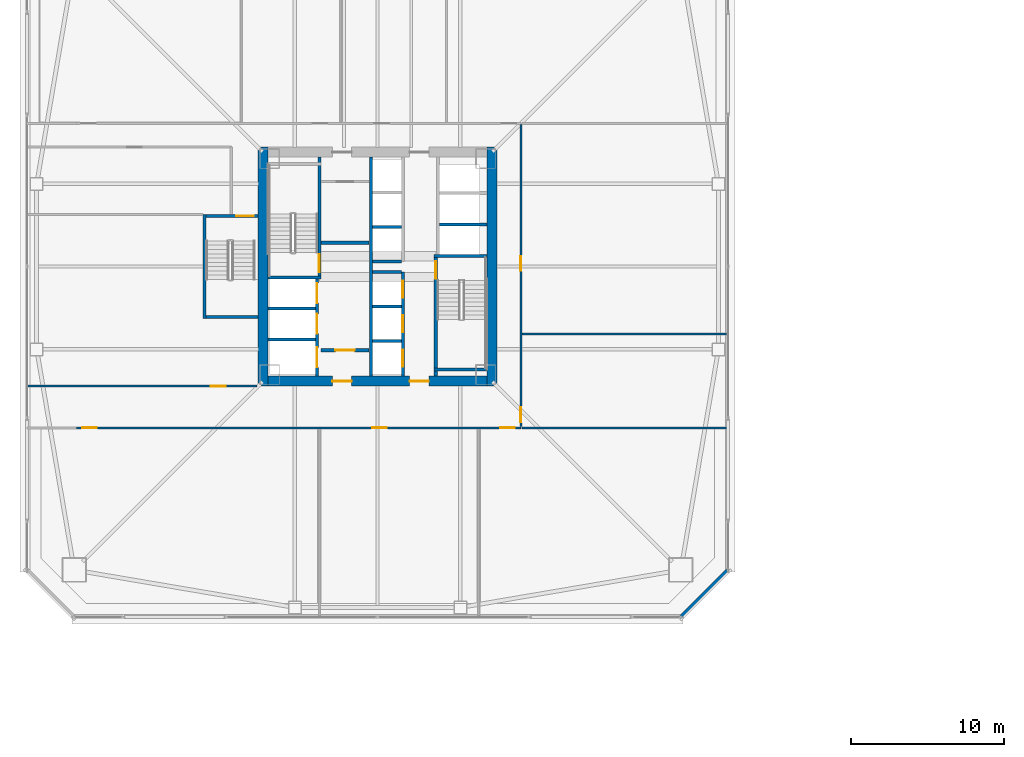
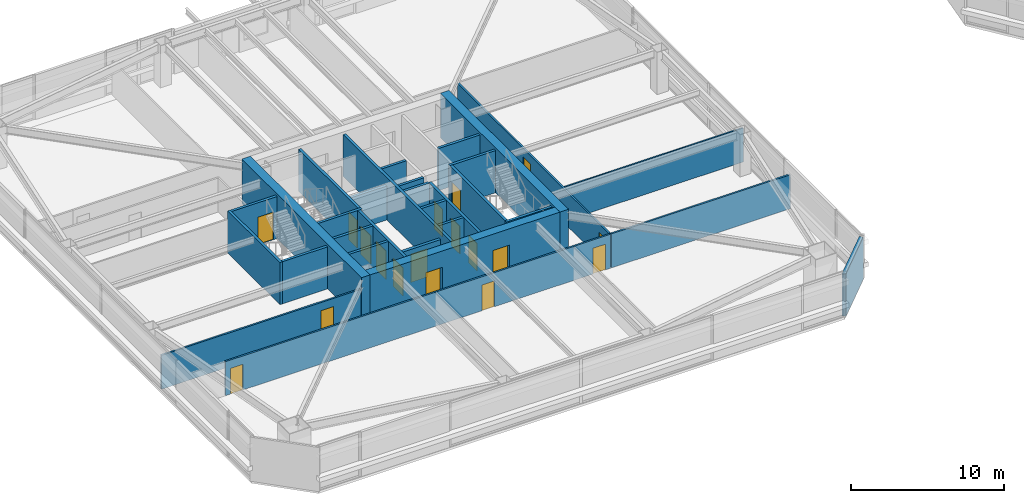
# One storey, part 39 of 51: 30 walls, 18 doors, 18 openings.
"""IFC4 building model written with IfcOpenShell, lengths in metres."""

from ifc_helpers import new_model, si_unit, direction, frame, frame_2d, origin, place, context, subcontext, project, spatial, rectangle, extrude, material, layer, layer_set, type_object, element, fill, save


model = new_model("IFC4")

# Units and contexts
model_context = context("Model", 3, precision=1e-05, world=origin(), true_north=direction((0.0, 1.0)))
body_context = subcontext(model_context, "Body", "Model", "MODEL_VIEW")
ifc_project = project(units=[si_unit("LENGTHUNIT", "METRE"), si_unit("AREAUNIT", "SQUARE_METRE"), si_unit("VOLUMEUNIT", "CUBIC_METRE"), si_unit("PLANEANGLEUNIT", "RADIAN"), si_unit("MASSUNIT", "GRAM", prefix="KILO")], contexts=[model_context])

# Site, building, storey
site_placement = place(None, origin())
site = spatial("IfcSite", under=ifc_project, at=site_placement, CompositionType="ELEMENT")
building_placement = place(site_placement, origin())
building = spatial("IfcBuilding", under=site, at=building_placement, Name="Tashvorn Skyway Center", CompositionType="ELEMENT")
storey_placement = place(building_placement, frame((0.0, 0.0, 49.449951171875)))
storey = spatial("IfcBuildingStorey", under=building, at=storey_placement, Name="L12", CompositionType="ELEMENT", Elevation=49.449951171875)

# Walls
ifc_material_1 = material(Name="Concrete C60/75", Category="concrete")
ifc_layer_1 = layer(ifc_material_1, 0.64990234375)
ifc_layer_set_1 = layer_set([ifc_layer_1], Name="Concrete C60/75")
wall_type_1 = type_object("IfcWallType", Name="WALL-CORE-650", PredefinedType="SHEAR", material=ifc_layer_set_1)
for number, where, z_axis, x_axis, name in (
    (1, (34.52490234375, 24.199951171875, 0.0), (0.0, 0.0, 1.0), (0.0, 1.0, 0.0), "Tower 1 L12 West Core Shear Wall"),
    (2, (49.47509765625, 39.800048828125, 0.0), (0.0, 0.0, 1.0), (0.0, -1.0, 0.0), "Tower 1 L12 East Core Shear Wall"),
):
    element("IfcWall", number, at=place(storey_placement, frame(where, z_axis=z_axis, x_axis=x_axis)), inside=storey, type_object=wall_type_1, Name=name, PredefinedType="SHEAR", context=body_context, shape_type="SweptSolid", body=[
        extrude(rectangle(XDim=15.60009765625, YDim=0.64990234375, at=frame_2d((7.800048828125, 0.0))), origin(), (0.0, 0.0, 1.0), 3.550048828125),
    ])

# Wall, openings, doors
wall_1_placement = place(storey_placement, frame((49.14990234375, 24.52490234375, 0.0), z_axis=(0.0, 0.0, 1.0), x_axis=(-1.0, 0.0, 0.0)))
wall_1 = element("IfcWall", 3, at=wall_1_placement, inside=storey, type_object=wall_type_1, Name="Tower 1 L12 South Core Shear Wall", PredefinedType="SHEAR", context=body_context, shape_type="SweptSolid", body=[
    extrude(rectangle(XDim=14.2998046875, YDim=0.64990234375, at=frame_2d((7.14990234375, 0.0))), origin(), (0.0, 0.0, 1.0), 3.550048828125),
])
opening_1_placement = place(wall_1_placement, frame((8.85009765625, 0.0, 0.0)))
opening_1 = element("IfcOpeningElement", 4, at=opening_1_placement, cuts=wall_1, Name="Opening D-FFL-1250", PredefinedType="OPENING", context=body_context, shape_type="SweptSolid", body=[
    extrude(rectangle(XDim=1.25, YDim=2.25, at=frame_2d((0.625, 1.125))), frame((0.0, 0.3349609375, 0.0), z_axis=(0.0, -1.0, 0.0), x_axis=(1.0, 0.0, 0.0)), (0.0, 0.0, 1.0), 0.669921875),
])
opening_2_placement = place(wall_1_placement, frame((3.800048828125, 0.0, 0.0)))
opening_2 = element("IfcOpeningElement", 5, at=opening_2_placement, cuts=wall_1, Name="Opening D-FFL-1250", PredefinedType="OPENING", context=body_context, shape_type="SweptSolid", body=[
    extrude(rectangle(XDim=1.25, YDim=2.25, at=frame_2d((0.625, 1.125))), frame((0.0, 0.3349609375, 0.0), z_axis=(0.0, -1.0, 0.0), x_axis=(1.0, 0.0, 0.0)), (0.0, 0.0, 1.0), 0.669921875),
])
ifc_material_2 = material(Name="Hollow galvanized steel fire door assembly", Category="steel")
door_type_1 = type_object("IfcDoorType", Name="DOOR-FFL-1250", OperationType="NOTDEFINED", PredefinedType="DOOR", material=ifc_material_2)
door_1_placement = place(opening_1_placement, origin())
door_1 = element("IfcDoor", 6, at=door_1_placement, inside=storey, type_object=door_type_1, Name="Tower 1 L12 Core South Firefighting Exit Door", OperationType="SINGLE_SWING_LEFT", OverallHeight=2.25, OverallWidth=1.25, PredefinedType="DOOR", context=body_context, shape_type="SweptSolid", body=[
    extrude(rectangle(XDim=1.25, YDim=2.25, at=frame_2d((0.625, 1.125))), frame((0.0, 0.02490234375, 0.0), z_axis=(0.0, -1.0, 0.0), x_axis=(1.0, 0.0, 0.0)), (0.0, 0.0, 1.0), 0.050048828125),
])
fill(opening_1, door_1)
door_2_placement = place(opening_2_placement, origin())
door_2 = element("IfcDoor", 7, at=door_2_placement, inside=storey, type_object=door_type_1, Name="Tower 1 L12 Core South Lift Lobby Door", OperationType="SINGLE_SWING_RIGHT", OverallHeight=2.25, OverallWidth=1.25, PredefinedType="DOOR", context=body_context, shape_type="SweptSolid", body=[
    extrude(rectangle(XDim=1.25, YDim=2.25, at=frame_2d((0.625, 1.125))), frame((0.0, 0.02490234375, 0.0), z_axis=(0.0, -1.0, 0.0), x_axis=(1.0, 0.0, 0.0)), (0.0, 0.0, 1.0), 0.050048828125),
])
fill(opening_2, door_2)

# Walls
ifc_material_3 = material(Name="Precast concrete C40/50", Category="concrete")
ifc_layer_2 = layer(ifc_material_3, 0.280029296875)
ifc_layer_set_2 = layer_set([ifc_layer_2], Name="Precast concrete C40/50")
wall_type_2 = type_object("IfcWallType", Name="WALL-EXT-280", PredefinedType="SOLIDWALL", material=ifc_layer_set_2)
wall_2_placement = place(storey_placement, frame((64.89990234375, 12.199951171875, 0.0), z_axis=(0.0, 0.0, 1.0), x_axis=(-0.707106781187, -0.707106781187, 0.0)))
element("IfcWall", 8, at=wall_2_placement, inside=storey, type_object=wall_type_2, Name="Tower 1 L12 SE Precast Chamfer Wall", PredefinedType="SOLIDWALL", context=body_context, shape_type="SweptSolid", body=[
    extrude(rectangle(XDim=4.3837890625, YDim=0.280029296875, at=frame_2d((2.19189453125, 0.0))), origin(), (0.0, 0.0, 1.0), 3.35009765625),
])
ifc_material_4 = material(Name="Concrete C40/50", Category="concrete")
ifc_layer_3 = layer(ifc_material_4, 0.219970703125)
ifc_layer_set_3 = layer_set([ifc_layer_3], Name="Concrete C40/50")
wall_type_3 = type_object("IfcWallType", Name="WALL-FFL-220", PredefinedType="SOLIDWALL", material=ifc_layer_set_3)
wall_3_placement = place(storey_placement, frame((38.300048828125, 33.56005859375, 0.0), z_axis=(0.0, 0.0, 1.0), x_axis=(1.0, 0.0, 0.0)))
element("IfcWall", 9, at=wall_3_placement, inside=storey, type_object=wall_type_3, Name="Tower 1 L12 Firefighting Lobby North Wall", PredefinedType="SOLIDWALL", context=body_context, shape_type="SweptSolid", body=[
    extrude(rectangle(XDim=3.14990234375, YDim=0.219970703125, at=frame_2d((1.574951171875, 0.0))), origin(), (0.0, 0.0, 1.0), 2.703125),
])

# Wall, opening, door
wall_4_placement = place(storey_placement, frame((38.300048828125, 26.5400390625, 0.0), z_axis=(0.0, 0.0, 1.0), x_axis=(1.0, 0.0, 0.0)))
wall_4 = element("IfcWall", 10, at=wall_4_placement, inside=storey, type_object=wall_type_3, Name="Tower 1 L12 Firefighting Lobby South Wall", PredefinedType="SOLIDWALL", context=body_context, shape_type="SweptSolid", body=[
    extrude(rectangle(XDim=3.14990234375, YDim=0.219970703125, at=frame_2d((1.574951171875, 0.0))), origin(), (0.0, 0.0, 1.0), 2.703125),
])
opening_3_placement = place(wall_4_placement, frame((0.949951171875, 0.0, 0.0)))
opening_3 = element("IfcOpeningElement", 11, at=opening_3_placement, cuts=wall_4, Name="Opening D-FFL-1250", PredefinedType="OPENING", context=body_context, shape_type="SweptSolid", body=[
    extrude(rectangle(XDim=1.25, YDim=2.25, at=frame_2d((0.625, 1.125))), frame((0.0, 0.119873046875, 0.0), z_axis=(0.0, -1.0, 0.0), x_axis=(1.0, 0.0, 0.0)), (0.0, 0.0, 1.0), 0.239990234375),
])
door_3_placement = place(opening_3_placement, origin())
door_3 = element("IfcDoor", 12, at=door_3_placement, inside=storey, type_object=door_type_1, Name="Tower 1 L12 Firefighting Lobby Egress Door", OperationType="SINGLE_SWING_LEFT", OverallHeight=2.25, OverallWidth=1.25, PredefinedType="DOOR", context=body_context, shape_type="SweptSolid", body=[
    extrude(rectangle(XDim=1.25, YDim=2.25, at=frame_2d((0.625, 1.125))), frame((0.0, 0.02490234375, 0.0), z_axis=(0.0, -1.0, 0.0), x_axis=(1.0, 0.0, 0.0)), (0.0, 0.0, 1.0), 0.050048828125),
])
fill(opening_3, door_3)

# Wall
ifc_material_5 = material(Name="Gypsum board on cold-formed steel stud framing", Category="steel")
ifc_layer_4 = layer(ifc_material_5, 0.110107421875)
ifc_layer_set_4 = layer_set([ifc_layer_4], Name="Gypsum board on cold-formed steel stud framing")
wall_type_4 = type_object("IfcWallType", Name="WALL-PART-110", PredefinedType="PARTITIONING", material=ifc_layer_set_4)
wall_5_placement = place(storey_placement, frame((51.429931640625, 27.60009765625, 0.0), z_axis=(0.0, 0.0, 1.0), x_axis=(1.0, 0.0, 0.0)))
element("IfcWall", 13, at=wall_5_placement, inside=storey, type_object=wall_type_4, Name="Tower 1 L12 East Suite Partition 1", PredefinedType="PARTITIONING", context=body_context, shape_type="SweptSolid", body=[
    extrude(rectangle(XDim=13.449951171875, YDim=0.110107421875, at=frame_2d((6.72509765625, 0.0))), origin(), (0.0, 0.0, 1.0), 2.703125),
])

# Wall, openings, doors
ifc_layer_5 = layer(ifc_material_5, 0.135009765625)
ifc_layer_set_5 = layer_set([ifc_layer_5], Name="Gypsum board on cold-formed steel stud framing")
wall_type_5 = type_object("IfcWallType", Name="WALL-PART-135", PredefinedType="PARTITIONING", material=ifc_layer_set_5)
wall_6_placement = place(storey_placement, frame((51.35009765625, 21.47998046875, 0.0), z_axis=(0.0, 0.0, 1.0), x_axis=(-1.0, 0.0, 0.0)))
wall_6 = element("IfcWall", 14, at=wall_6_placement, inside=storey, type_object=wall_type_5, Name="Tower 1 L12 South Suite Wall", PredefinedType="PARTITIONING", context=body_context, shape_type="SweptSolid", body=[
    extrude(rectangle(XDim=29.0, YDim=0.135009765625, at=frame_2d((14.5, 0.0))), origin(), (0.0, 0.0, 1.0), 2.703125),
])
opening_4_placement = place(wall_6_placement, frame((27.669921875, 0.0, 0.0)))
opening_4 = element("IfcOpeningElement", 15, at=opening_4_placement, cuts=wall_6, Name="Opening D-INT-950", PredefinedType="OPENING", context=body_context, shape_type="SweptSolid", body=[
    extrude(rectangle(XDim=0.949951171875, YDim=2.050048828125, at=frame_2d((0.47509765625, 1.02490234375))), frame((0.0, 0.077392578125, 0.0), z_axis=(0.0, -1.0, 0.0), x_axis=(1.0, 0.0, 0.0)), (0.0, 0.0, 1.0), 0.155029296875),
])
opening_5_placement = place(wall_6_placement, frame((8.7529296875, 0.0, 0.0)))
opening_5 = element("IfcOpeningElement", 16, at=opening_5_placement, cuts=wall_6, Name="Opening D-INT-950", PredefinedType="OPENING", context=body_context, shape_type="SweptSolid", body=[
    extrude(rectangle(XDim=0.949951171875, YDim=2.050048828125, at=frame_2d((0.47509765625, 1.02490234375))), frame((0.0, 0.077392578125, 0.0), z_axis=(0.0, -1.0, 0.0), x_axis=(1.0, 0.0, 0.0)), (0.0, 0.0, 1.0), 0.155029296875),
])
opening_6_placement = place(wall_6_placement, frame((0.3798828125, 0.0, 0.0)))
opening_6 = element("IfcOpeningElement", 17, at=opening_6_placement, cuts=wall_6, Name="Opening D-INT-950", PredefinedType="OPENING", context=body_context, shape_type="SweptSolid", body=[
    extrude(rectangle(XDim=0.949951171875, YDim=2.050048828125, at=frame_2d((0.47509765625, 1.02490234375))), frame((0.0, 0.077392578125, 0.0), z_axis=(0.0, -1.0, 0.0), x_axis=(1.0, 0.0, 0.0)), (0.0, 0.0, 1.0), 0.155029296875),
])
ifc_material_6 = material(Name="Solid-core architectural oak veneer door")
door_type_2 = type_object("IfcDoorType", Name="DOOR-INT-950", OperationType="NOTDEFINED", PredefinedType="DOOR", material=ifc_material_6)
door_4_placement = place(opening_4_placement, origin())
door_4 = element("IfcDoor", 18, at=door_4_placement, inside=storey, type_object=door_type_2, Name="Tower 1 L12 Conference Room Door", OperationType="SINGLE_SWING_LEFT", OverallHeight=2.050048828125, OverallWidth=0.949951171875, PredefinedType="DOOR", context=body_context, shape_type="SweptSolid", body=[
    extrude(rectangle(XDim=0.949951171875, YDim=2.050048828125, at=frame_2d((0.47509765625, 1.02490234375))), frame((0.0, 0.02490234375, 0.0), z_axis=(0.0, -1.0, 0.0), x_axis=(1.0, 0.0, 0.0)), (0.0, 0.0, 1.0), 0.050048828125),
])
fill(opening_4, door_4)
door_5_placement = place(opening_5_placement, origin())
door_5 = element("IfcDoor", 19, at=door_5_placement, inside=storey, type_object=door_type_2, Name="Tower 1 L12 Design Studio Door", OperationType="SINGLE_SWING_RIGHT", OverallHeight=2.050048828125, OverallWidth=0.949951171875, PredefinedType="DOOR", context=body_context, shape_type="SweptSolid", body=[
    extrude(rectangle(XDim=0.949951171875, YDim=2.050048828125, at=frame_2d((0.47509765625, 1.02490234375))), frame((0.0, 0.02490234375, 0.0), z_axis=(0.0, -1.0, 0.0), x_axis=(1.0, 0.0, 0.0)), (0.0, 0.0, 1.0), 0.050048828125),
])
fill(opening_5, door_5)
door_6_placement = place(opening_6_placement, origin())
door_6 = element("IfcDoor", 20, at=door_6_placement, inside=storey, type_object=door_type_2, Name="Tower 1 L12 Design Studio Door", OperationType="SINGLE_SWING_LEFT", OverallHeight=2.050048828125, OverallWidth=0.949951171875, PredefinedType="DOOR", context=body_context, shape_type="SweptSolid", body=[
    extrude(rectangle(XDim=0.949951171875, YDim=2.050048828125, at=frame_2d((0.47509765625, 1.02490234375))), frame((0.0, 0.02490234375, 0.0), z_axis=(0.0, -1.0, 0.0), x_axis=(1.0, 0.0, 0.0)), (0.0, 0.0, 1.0), 0.050048828125),
])
fill(opening_6, door_6)

wall_7_placement = place(storey_placement, frame((51.35009765625, 41.27001953125, 0.0), z_axis=(0.0, 0.0, 1.0), x_axis=(0.0, -1.0, 0.0)))
wall_7 = element("IfcWall", 21, at=wall_7_placement, inside=storey, type_object=wall_type_5, Name="Tower 1 L12 East Inner Suite Wall", PredefinedType="PARTITIONING", context=body_context, shape_type="SweptSolid", body=[
    extrude(rectangle(XDim=19.7099609375, YDim=0.135009765625, at=frame_2d((9.85498046875, 0.0))), origin(), (0.0, 0.0, 1.0), 2.703125),
])
opening_7_placement = place(wall_7_placement, frame((18.4599609375, 0.0, 0.0)))
opening_7 = element("IfcOpeningElement", 22, at=opening_7_placement, cuts=wall_7, Name="Opening D-INT-950", PredefinedType="OPENING", context=body_context, shape_type="SweptSolid", body=[
    extrude(rectangle(XDim=0.949951171875, YDim=2.050048828125, at=frame_2d((0.47509765625, 1.02490234375))), frame((0.0, 0.077392578125, 0.0), z_axis=(0.0, -1.0, 0.0), x_axis=(1.0, 0.0, 0.0)), (0.0, 0.0, 1.0), 0.155029296875),
])
opening_8_placement = place(wall_7_placement, frame((8.577392578125, 0.0, 0.0)))
opening_8 = element("IfcOpeningElement", 23, at=opening_8_placement, cuts=wall_7, Name="Opening D-INT-950", PredefinedType="OPENING", context=body_context, shape_type="SweptSolid", body=[
    extrude(rectangle(XDim=0.949951171875, YDim=2.050048828125, at=frame_2d((0.47509765625, 1.02490234375))), frame((0.0, 0.077392578125, 0.0), z_axis=(0.0, -1.0, 0.0), x_axis=(1.0, 0.0, 0.0)), (0.0, 0.0, 1.0), 0.155029296875),
])
door_7_placement = place(opening_7_placement, origin())
door_7 = element("IfcDoor", 24, at=door_7_placement, inside=storey, type_object=door_type_2, Name="Tower 1 L12 Gallery Showroom Door", OperationType="SINGLE_SWING_RIGHT", OverallHeight=2.050048828125, OverallWidth=0.949951171875, PredefinedType="DOOR", context=body_context, shape_type="SweptSolid", body=[
    extrude(rectangle(XDim=0.949951171875, YDim=2.050048828125, at=frame_2d((0.47509765625, 1.02490234375))), frame((0.0, 0.02490234375, 0.0), z_axis=(0.0, -1.0, 0.0), x_axis=(1.0, 0.0, 0.0)), (0.0, 0.0, 1.0), 0.050048828125),
])
fill(opening_7, door_7)
door_8_placement = place(opening_8_placement, origin())
door_8 = element("IfcDoor", 25, at=door_8_placement, inside=storey, type_object=door_type_2, Name="Tower 1 L12 Public Restroom Door", OperationType="SINGLE_SWING_LEFT", OverallHeight=2.050048828125, OverallWidth=0.949951171875, PredefinedType="DOOR", context=body_context, shape_type="SweptSolid", body=[
    extrude(rectangle(XDim=0.949951171875, YDim=2.050048828125, at=frame_2d((0.47509765625, 1.02490234375))), frame((0.0, 0.02490234375, 0.0), z_axis=(0.0, -1.0, 0.0), x_axis=(1.0, 0.0, 0.0)), (0.0, 0.0, 1.0), 0.050048828125),
])
fill(opening_8, door_8)

# Wall
wall_8_placement = place(storey_placement, frame((51.429931640625, 21.47998046875, 0.0), z_axis=(0.0, 0.0, 1.0), x_axis=(1.0, 0.0, 0.0)))
element("IfcWall", 26, at=wall_8_placement, inside=storey, type_object=wall_type_5, Name="Tower 1 L12 East Suite South Wall", PredefinedType="PARTITIONING", context=body_context, shape_type="SweptSolid", body=[
    extrude(rectangle(XDim=13.449951171875, YDim=0.135009765625, at=frame_2d((6.72509765625, 0.0))), origin(), (0.0, 0.0, 1.0), 2.703125),
])

# Wall, opening, door
wall_9_placement = place(storey_placement, frame((19.1201171875, 24.199951171875, 0.0), z_axis=(0.0, 0.0, 1.0), x_axis=(1.0, 0.0, 0.0)))
wall_9 = element("IfcWall", 27, at=wall_9_placement, inside=storey, type_object=wall_type_5, Name="Tower 1 L12 West Suite South Wall", PredefinedType="PARTITIONING", context=body_context, shape_type="SweptSolid", body=[
    extrude(rectangle(XDim=15.0, YDim=0.135009765625, at=frame_2d((7.5, 0.0))), origin(), (0.0, 0.0, 1.0), 2.703125),
])
opening_9_placement = place(wall_9_placement, frame((12.0048828125, 0.0, 0.0)))
opening_9 = element("IfcOpeningElement", 28, at=opening_9_placement, cuts=wall_9, Name="Opening D-INT-950", PredefinedType="OPENING", context=body_context, shape_type="SweptSolid", body=[
    extrude(rectangle(XDim=0.949951171875, YDim=2.050048828125, at=frame_2d((0.47509765625, 1.02490234375))), frame((0.0, 0.077392578125, 0.0), z_axis=(0.0, -1.0, 0.0), x_axis=(1.0, 0.0, 0.0)), (0.0, 0.0, 1.0), 0.155029296875),
])
door_9_placement = place(opening_9_placement, origin())
door_9 = element("IfcDoor", 29, at=door_9_placement, inside=storey, type_object=door_type_2, Name="Tower 1 L12 Public Restroom Door", OperationType="SINGLE_SWING_LEFT", OverallHeight=2.050048828125, OverallWidth=0.949951171875, PredefinedType="DOOR", context=body_context, shape_type="SweptSolid", body=[
    extrude(rectangle(XDim=0.949951171875, YDim=2.050048828125, at=frame_2d((0.47509765625, 1.02490234375))), frame((0.0, 0.02490234375, 0.0), z_axis=(0.0, -1.0, 0.0), x_axis=(1.0, 0.0, 0.0)), (0.0, 0.0, 1.0), 0.050048828125),
])
fill(opening_9, door_9)

# Walls
ifc_layer_6 = layer(ifc_material_4, 0.199951171875)
ifc_layer_set_6 = layer_set([ifc_layer_6], Name="Concrete C40/50")
wall_type_6 = type_object("IfcWallType", Name="WALL-SHAFT-200", PredefinedType="SOLIDWALL", material=ifc_layer_set_6)
for number, where, z_axis, x_axis, name in (
    (30, (34.85009765625, 27.25, 0.0), (0.0, 0.0, 1.0), (1.0, 0.0, 0.0), "Tower 1 L12 FSAE Shaft Divider"),
    (31, (34.85009765625, 29.280029296875, 0.0), (0.0, 0.0, 1.0), (1.0, 0.0, 0.0), "Tower 1 L12 FSAE Shaft Divider"),
    (32, (46.050048828125, 34.75, 0.0), (0.0, 0.0, 1.0), (1.0, 0.0, 0.0), "Tower 1 L12 High-Rise Shaft Divider"),
):
    element("IfcWall", number, at=place(storey_placement, frame(where, z_axis=z_axis, x_axis=x_axis)), inside=storey, type_object=wall_type_6, Name=name, PredefinedType="SOLIDWALL", context=body_context, shape_type="SweptSolid", body=[
        extrude(rectangle(XDim=3.099853515625, YDim=0.199951171875, at=frame_2d((1.5498046875, 0.0))), origin(), (0.0, 0.0, 1.0), 3.35009765625),
    ])

# Wall, openings, doors
wall_10_placement = place(storey_placement, frame((43.64990234375, 24.85009765625, 0.0), z_axis=(0.0, 0.0, 1.0), x_axis=(0.0, 1.0, 0.0)))
wall_10 = element("IfcWall", 33, at=wall_10_placement, inside=storey, type_object=wall_type_6, Name="Tower 1 L12 Low-Rise Core Wall", PredefinedType="SOLIDWALL", context=body_context, shape_type="SweptSolid", body=[
    extrude(rectangle(XDim=6.7998046875, YDim=0.199951171875, at=frame_2d((3.39990234375, 0.0))), origin(), (0.0, 0.0, 1.0), 3.35009765625),
])
opening_10_placement = place(wall_10_placement, frame((0.625, 0.0, 0.0)))
opening_10 = element("IfcOpeningElement", 34, at=opening_10_placement, cuts=wall_10, Name="Opening LD-LR-T1-1-L12", PredefinedType="OPENING", context=body_context, shape_type="SweptSolid", body=[
    extrude(rectangle(XDim=1.10009765625, YDim=2.199951171875, at=frame_2d((0.550048828125, 1.10009765625))), frame((0.0, 0.10986328125, 0.0), z_axis=(0.0, -1.0, 0.0), x_axis=(1.0, 0.0, 0.0)), (0.0, 0.0, 1.0), 0.219970703125),
])
opening_11_placement = place(wall_10_placement, frame((2.875, 0.0, 0.0)))
opening_11 = element("IfcOpeningElement", 35, at=opening_11_placement, cuts=wall_10, Name="Opening LD-LR-T1-2-L12", PredefinedType="OPENING", context=body_context, shape_type="SweptSolid", body=[
    extrude(rectangle(XDim=1.10009765625, YDim=2.199951171875, at=frame_2d((0.550048828125, 1.10009765625))), frame((0.0, 0.10986328125, 0.0), z_axis=(0.0, -1.0, 0.0), x_axis=(1.0, 0.0, 0.0)), (0.0, 0.0, 1.0), 0.219970703125),
])
opening_12_placement = place(wall_10_placement, frame((5.125, 0.0, 0.0)))
opening_12 = element("IfcOpeningElement", 36, at=opening_12_placement, cuts=wall_10, Name="Opening LD-LR-T1-3-L12", PredefinedType="OPENING", context=body_context, shape_type="SweptSolid", body=[
    extrude(rectangle(XDim=1.10009765625, YDim=2.199951171875, at=frame_2d((0.550048828125, 1.10009765625))), frame((0.0, 0.10986328125, 0.0), z_axis=(0.0, -1.0, 0.0), x_axis=(1.0, 0.0, 0.0)), (0.0, 0.0, 1.0), 0.219970703125),
])
ifc_material_7 = material(Name="Stainless steel landing door", Category="steel")
door_type_3 = type_object("IfcDoorType", Name="DOOR-LIFT-1100", OperationType="SLIDING_TO_LEFT", PredefinedType="DOOR", material=ifc_material_7)
door_10_placement = place(opening_10_placement, origin())
door_10 = element("IfcDoor", 37, at=door_10_placement, inside=storey, type_object=door_type_3, Name="Lift LR-T1-1 L12 Landing Door", OperationType="SLIDING_TO_LEFT", OverallHeight=2.199951171875, OverallWidth=1.10009765625, PredefinedType="DOOR", context=body_context, shape_type="SweptSolid", body=[
    extrude(rectangle(XDim=1.10009765625, YDim=2.199951171875, at=frame_2d((0.550048828125, 1.10009765625))), frame((0.0, 0.02490234375, 0.0), z_axis=(0.0, -1.0, 0.0), x_axis=(1.0, 0.0, 0.0)), (0.0, 0.0, 1.0), 0.050048828125),
])
fill(opening_10, door_10)
door_11_placement = place(opening_11_placement, origin())
door_11 = element("IfcDoor", 38, at=door_11_placement, inside=storey, type_object=door_type_3, Name="Lift LR-T1-2 L12 Landing Door", OperationType="SLIDING_TO_LEFT", OverallHeight=2.199951171875, OverallWidth=1.10009765625, PredefinedType="DOOR", context=body_context, shape_type="SweptSolid", body=[
    extrude(rectangle(XDim=1.10009765625, YDim=2.199951171875, at=frame_2d((0.550048828125, 1.10009765625))), frame((0.0, 0.02490234375, 0.0), z_axis=(0.0, -1.0, 0.0), x_axis=(1.0, 0.0, 0.0)), (0.0, 0.0, 1.0), 0.050048828125),
])
fill(opening_11, door_11)
door_12_placement = place(opening_12_placement, origin())
door_12 = element("IfcDoor", 39, at=door_12_placement, inside=storey, type_object=door_type_3, Name="Lift LR-T1-3 L12 Landing Door", OperationType="SLIDING_TO_LEFT", OverallHeight=2.199951171875, OverallWidth=1.10009765625, PredefinedType="DOOR", context=body_context, shape_type="SweptSolid", body=[
    extrude(rectangle(XDim=1.10009765625, YDim=2.199951171875, at=frame_2d((0.550048828125, 1.10009765625))), frame((0.0, 0.02490234375, 0.0), z_axis=(0.0, -1.0, 0.0), x_axis=(1.0, 0.0, 0.0)), (0.0, 0.0, 1.0), 0.050048828125),
])
fill(opening_12, door_12)

# Walls
for number, where, z_axis, x_axis, name in (
    (40, (41.669921875, 27.14990234375, 0.0), (0.0, 0.0, 1.0), (1.0, 0.0, 0.0), "Tower 1 L12 Low-Rise Shaft Divider"),
    (41, (41.669921875, 29.39990234375, 0.0), (0.0, 0.0, 1.0), (1.0, 0.0, 0.0), "Tower 1 L12 Low-Rise Shaft Divider"),
    (42, (41.669921875, 31.64990234375, 0.0), (0.0, 0.0, 1.0), (1.0, 0.0, 0.0), "Tower 1 L12 Low-Rise Shaft Divider"),
    (43, (41.669921875, 32.35009765625, 0.0), (0.0, 0.0, 1.0), (1.0, 0.0, 0.0), "Tower 1 L12 Mid-Rise Shaft Divider"),
    (44, (41.669921875, 34.60009765625, 0.0), (0.0, 0.0, 1.0), (1.0, 0.0, 0.0), "Tower 1 L12 Mid-Rise Shaft Divider"),
):
    element("IfcWall", number, at=place(storey_placement, frame(where, z_axis=z_axis, x_axis=x_axis)), inside=storey, type_object=wall_type_6, Name=name, PredefinedType="SOLIDWALL", context=body_context, shape_type="SweptSolid", body=[
        extrude(rectangle(XDim=1.880126953125, YDim=0.199951171875, at=frame_2d((0.93994140625, 0.0))), origin(), (0.0, 0.0, 1.0), 3.35009765625),
    ])

# Wall, opening, door
ifc_layer_7 = layer(ifc_material_4, 0.199951171875)
ifc_layer_set_7 = layer_set([ifc_layer_7], Name="Concrete C40/50")
wall_type_7 = type_object("IfcWallType", Name="WALL-STSHF-200", PredefinedType="SHEAR", material=ifc_layer_set_7)
wall_11_placement = place(storey_placement, frame((38.199951171875, 31.199951171875, 0.0), z_axis=(0.0, 0.0, 1.0), x_axis=(0.0, 1.0, 0.0)))
wall_11 = element("IfcWall", 45, at=wall_11_placement, inside=storey, type_object=wall_type_7, Name="Tower 1 L12 Stair 1 Enclosure Wall", PredefinedType="SHEAR", context=body_context, shape_type="SweptSolid", body=[
    extrude(rectangle(XDim=7.949951171875, YDim=0.199951171875, at=frame_2d((3.97509765625, 0.0))), origin(), (0.0, 0.0, 1.0), 3.35009765625),
])
opening_13_placement = place(wall_11_placement, frame((0.449951171875, 0.0, 0.0)))
opening_13 = element("IfcOpeningElement", 46, at=opening_13_placement, cuts=wall_11, Name="Opening D-ST-1150", PredefinedType="OPENING", context=body_context, shape_type="SweptSolid", body=[
    extrude(rectangle(XDim=1.14990234375, YDim=2.199951171875, at=frame_2d((0.574951171875, 1.10009765625))), frame((0.0, 0.10986328125, 0.0), z_axis=(0.0, -1.0, 0.0), x_axis=(1.0, 0.0, 0.0)), (0.0, 0.0, 1.0), 0.219970703125),
])
door_type_4 = type_object("IfcDoorType", Name="DOOR-STAIR-1150", OperationType="NOTDEFINED", PredefinedType="DOOR", material=ifc_material_2)
door_13_placement = place(opening_13_placement, origin())
door_13 = element("IfcDoor", 47, at=door_13_placement, inside=storey, type_object=door_type_4, Name="Tower 1 L12 Exit Stair 1 Door", OperationType="SINGLE_SWING_RIGHT", OverallHeight=2.199951171875, OverallWidth=1.14990234375, PredefinedType="DOOR", context=body_context, shape_type="SweptSolid", body=[
    extrude(rectangle(XDim=1.14990234375, YDim=2.199951171875, at=frame_2d((0.574951171875, 1.10009765625))), frame((0.0, 0.02490234375, 0.0), z_axis=(0.0, -1.0, 0.0), x_axis=(1.0, 0.0, 0.0)), (0.0, 0.0, 1.0), 0.050048828125),
])
fill(opening_13, door_13)

# Wall
wall_12_placement = place(storey_placement, frame((34.85009765625, 31.300048828125, 0.0), z_axis=(0.0, 0.0, 1.0), x_axis=(1.0, 0.0, 0.0)))
element("IfcWall", 48, at=wall_12_placement, inside=storey, type_object=wall_type_7, Name="Tower 1 L12 Stair 1 South Wall", PredefinedType="SHEAR", context=body_context, shape_type="SweptSolid", body=[
    extrude(rectangle(XDim=3.449951171875, YDim=0.199951171875, at=frame_2d((1.72509765625, 0.0))), origin(), (0.0, 0.0, 1.0), 3.35009765625),
])

# Wall, opening, door
wall_13_placement = place(storey_placement, frame((45.800048828125, 32.800048828125, 0.0), z_axis=(0.0, 0.0, 1.0), x_axis=(0.0, -1.0, 0.0)))
wall_13 = element("IfcWall", 49, at=wall_13_placement, inside=storey, type_object=wall_type_7, Name="Tower 1 L12 Stair 2 Enclosure Wall", PredefinedType="SHEAR", context=body_context, shape_type="SweptSolid", body=[
    extrude(rectangle(XDim=7.949951171875, YDim=0.199951171875, at=frame_2d((3.97509765625, 0.0))), origin(), (0.0, 0.0, 1.0), 3.35009765625),
])
opening_14_placement = place(wall_13_placement, frame((0.449951171875, 0.0, 0.0)))
opening_14 = element("IfcOpeningElement", 50, at=opening_14_placement, cuts=wall_13, Name="Opening D-ST-1150", PredefinedType="OPENING", context=body_context, shape_type="SweptSolid", body=[
    extrude(rectangle(XDim=1.14990234375, YDim=2.199951171875, at=frame_2d((0.574951171875, 1.10009765625))), frame((0.0, 0.10986328125, 0.0), z_axis=(0.0, -1.0, 0.0), x_axis=(1.0, 0.0, 0.0)), (0.0, 0.0, 1.0), 0.219970703125),
])
door_14_placement = place(opening_14_placement, origin())
door_14 = element("IfcDoor", 51, at=door_14_placement, inside=storey, type_object=door_type_4, Name="Tower 1 L12 Exit Stair 2 Door", OperationType="SINGLE_SWING_RIGHT", OverallHeight=2.199951171875, OverallWidth=1.14990234375, PredefinedType="DOOR", context=body_context, shape_type="SweptSolid", body=[
    extrude(rectangle(XDim=1.14990234375, YDim=2.199951171875, at=frame_2d((0.574951171875, 1.10009765625))), frame((0.0, 0.02490234375, 0.0), z_axis=(0.0, -1.0, 0.0), x_axis=(1.0, 0.0, 0.0)), (0.0, 0.0, 1.0), 0.050048828125),
])
fill(opening_14, door_14)

# Walls
for number, where, z_axis, x_axis, name in (
    (52, (45.699951171875, 32.699951171875, 0.0), (0.0, 0.0, 1.0), (1.0, 0.0, 0.0), "Tower 1 L12 Stair 2 North Wall"),
    (53, (45.699951171875, 25.300048828125, 0.0), (0.0, 0.0, 1.0), (1.0, 0.0, 0.0), "Tower 1 L12 Stair 2 South Wall"),
):
    element("IfcWall", number, at=place(storey_placement, frame(where, z_axis=z_axis, x_axis=x_axis)), inside=storey, type_object=wall_type_7, Name=name, PredefinedType="SHEAR", context=body_context, shape_type="SweptSolid", body=[
        extrude(rectangle(XDim=3.449951171875, YDim=0.199951171875, at=frame_2d((1.72509765625, 0.0))), origin(), (0.0, 0.0, 1.0), 3.35009765625),
    ])
wall_14_placement = place(storey_placement, frame((41.56005859375, 24.85009765625, 0.0), z_axis=(0.0, 0.0, 1.0), x_axis=(0.0, 1.0, 0.0)))
element("IfcWall", 54, at=wall_14_placement, inside=storey, type_object=wall_type_7, Name="Tower 1 L12 Firefighting Lobby East Smoke Barrier", PredefinedType="SHEAR", context=body_context, shape_type="SweptSolid", body=[
    extrude(rectangle(XDim=14.2998046875, YDim=0.199951171875, at=frame_2d((7.14990234375, 0.0))), origin(), (0.0, 0.0, 1.0), 3.35009765625),
])

# Wall, openings, doors
wall_15_placement = place(storey_placement, frame((38.050048828125, 24.85009765625, 0.0), z_axis=(0.0, 0.0, 1.0), x_axis=(0.0, 1.0, 0.0)))
wall_15 = element("IfcWall", 55, at=wall_15_placement, inside=storey, type_object=wall_type_7, Name="Tower 1 L12 FSAE and Goods Shaft Front Wall", PredefinedType="SHEAR", context=body_context, shape_type="SweptSolid", body=[
    extrude(rectangle(XDim=6.349853515625, YDim=0.199951171875, at=frame_2d((3.1748046875, 0.0))), origin(), (0.0, 0.0, 1.0), 3.35009765625),
])
opening_15_placement = place(wall_15_placement, frame((4.77490234375, 0.0, 0.0)))
opening_15 = element("IfcOpeningElement", 56, at=opening_15_placement, cuts=wall_15, Name="Opening LD-FF-T1-1-L12", PredefinedType="OPENING", context=body_context, shape_type="SweptSolid", body=[
    extrude(rectangle(XDim=1.300048828125, YDim=2.25, at=frame_2d((0.64990234375, 1.125))), frame((0.0, 0.10986328125, 0.0), z_axis=(0.0, -1.0, 0.0), x_axis=(1.0, 0.0, 0.0)), (0.0, 0.0, 1.0), 0.219970703125),
])
opening_16_placement = place(wall_15_placement, frame((2.77490234375, 0.0, 0.0)))
opening_16 = element("IfcOpeningElement", 57, at=opening_16_placement, cuts=wall_15, Name="Opening LD-FF-T1-2-L12", PredefinedType="OPENING", context=body_context, shape_type="SweptSolid", body=[
    extrude(rectangle(XDim=1.300048828125, YDim=2.25, at=frame_2d((0.64990234375, 1.125))), frame((0.0, 0.10986328125, 0.0), z_axis=(0.0, -1.0, 0.0), x_axis=(1.0, 0.0, 0.0)), (0.0, 0.0, 1.0), 0.219970703125),
])
opening_17_placement = place(wall_15_placement, frame((0.574951171875, 0.0, 0.0)))
opening_17 = element("IfcOpeningElement", 58, at=opening_17_placement, cuts=wall_15, Name="Opening LD-GD-T1-1-L12", PredefinedType="OPENING", context=body_context, shape_type="SweptSolid", body=[
    extrude(rectangle(XDim=1.300048828125, YDim=2.25, at=frame_2d((0.64990234375, 1.125))), frame((0.0, 0.10986328125, 0.0), z_axis=(0.0, -1.0, 0.0), x_axis=(1.0, 0.0, 0.0)), (0.0, 0.0, 1.0), 0.219970703125),
])
ifc_material_8 = material(Name="Stainless steel heavy-duty landing door", Category="steel")
door_type_5 = type_object("IfcDoorType", Name="DOOR-LIFT-1300", OperationType="SLIDING_TO_LEFT", PredefinedType="DOOR", material=ifc_material_8)
door_15_placement = place(opening_15_placement, origin())
door_15 = element("IfcDoor", 59, at=door_15_placement, inside=storey, type_object=door_type_5, Name="Lift FF-T1-1 L12 Landing Door", OperationType="SLIDING_TO_LEFT", OverallHeight=2.25, OverallWidth=1.300048828125, PredefinedType="DOOR", context=body_context, shape_type="SweptSolid", body=[
    extrude(rectangle(XDim=1.300048828125, YDim=2.25, at=frame_2d((0.64990234375, 1.125))), frame((0.0, 0.02490234375, 0.0), z_axis=(0.0, -1.0, 0.0), x_axis=(1.0, 0.0, 0.0)), (0.0, 0.0, 1.0), 0.050048828125),
])
fill(opening_15, door_15)
door_16_placement = place(opening_16_placement, origin())
door_16 = element("IfcDoor", 60, at=door_16_placement, inside=storey, type_object=door_type_5, Name="Lift FF-T1-2 L12 Landing Door", OperationType="SLIDING_TO_LEFT", OverallHeight=2.25, OverallWidth=1.300048828125, PredefinedType="DOOR", context=body_context, shape_type="SweptSolid", body=[
    extrude(rectangle(XDim=1.300048828125, YDim=2.25, at=frame_2d((0.64990234375, 1.125))), frame((0.0, 0.02490234375, 0.0), z_axis=(0.0, -1.0, 0.0), x_axis=(1.0, 0.0, 0.0)), (0.0, 0.0, 1.0), 0.050048828125),
])
fill(opening_16, door_16)
door_17_placement = place(opening_17_placement, origin())
door_17 = element("IfcDoor", 61, at=door_17_placement, inside=storey, type_object=door_type_5, Name="Lift GD-T1-1 L12 Landing Door", OperationType="SLIDING_TO_LEFT", OverallHeight=2.25, OverallWidth=1.300048828125, PredefinedType="DOOR", context=body_context, shape_type="SweptSolid", body=[
    extrude(rectangle(XDim=1.300048828125, YDim=2.25, at=frame_2d((0.64990234375, 1.125))), frame((0.0, 0.02490234375, 0.0), z_axis=(0.0, -1.0, 0.0), x_axis=(1.0, 0.0, 0.0)), (0.0, 0.0, 1.0), 0.050048828125),
])
fill(opening_17, door_17)

# Wall
wall_16_placement = place(storey_placement, frame((30.699951171875, 28.60009765625, 0.0), z_axis=(0.0, 0.0, 1.0), x_axis=(0.0, 1.0, 0.0)))
element("IfcWall", 62, at=wall_16_placement, inside=storey, type_object=wall_type_7, Name="Tower 1 L12 Stair 3 Outer Wall", PredefinedType="SHEAR", context=body_context, shape_type="SweptSolid", body=[
    extrude(rectangle(XDim=6.7998046875, YDim=0.199951171875, at=frame_2d((3.39990234375, 0.0))), origin(), (0.0, 0.0, 1.0), 3.35009765625),
])

# Wall, opening, door
wall_17_placement = place(storey_placement, frame((34.199951171875, 35.300048828125, 0.0), z_axis=(0.0, 0.0, 1.0), x_axis=(-1.0, 0.0, 0.0)))
wall_17 = element("IfcWall", 63, at=wall_17_placement, inside=storey, type_object=wall_type_7, Name="Tower 1 L12 Stair 3 Enclosure Wall", PredefinedType="SHEAR", context=body_context, shape_type="SweptSolid", body=[
    extrude(rectangle(XDim=3.39990234375, YDim=0.199951171875, at=frame_2d((1.699951171875, 0.0))), origin(), (0.0, 0.0, 1.0), 3.35009765625),
])
opening_18_placement = place(wall_17_placement, frame((0.27490234375, 0.0, 0.0)))
opening_18 = element("IfcOpeningElement", 64, at=opening_18_placement, cuts=wall_17, Name="Opening D-ST-1150", PredefinedType="OPENING", context=body_context, shape_type="SweptSolid", body=[
    extrude(rectangle(XDim=1.14990234375, YDim=2.199951171875, at=frame_2d((0.574951171875, 1.10009765625))), frame((0.0, 0.10986328125, 0.0), z_axis=(0.0, -1.0, 0.0), x_axis=(1.0, 0.0, 0.0)), (0.0, 0.0, 1.0), 0.219970703125),
])
door_18_placement = place(opening_18_placement, origin())
door_18 = element("IfcDoor", 65, at=door_18_placement, inside=storey, type_object=door_type_4, Name="Tower 1 L12 Exit Stair 3 Door", OperationType="SINGLE_SWING_RIGHT", OverallHeight=2.199951171875, OverallWidth=1.14990234375, PredefinedType="DOOR", context=body_context, shape_type="SweptSolid", body=[
    extrude(rectangle(XDim=1.14990234375, YDim=2.199951171875, at=frame_2d((0.574951171875, 1.10009765625))), frame((0.0, 0.02490234375, 0.0), z_axis=(0.0, -1.0, 0.0), x_axis=(1.0, 0.0, 0.0)), (0.0, 0.0, 1.0), 0.050048828125),
])
fill(opening_18, door_18)

# Wall
wall_18_placement = place(storey_placement, frame((30.800048828125, 28.699951171875, 0.0), z_axis=(0.0, 0.0, 1.0), x_axis=(1.0, 0.0, 0.0)))
element("IfcWall", 66, at=wall_18_placement, inside=storey, type_object=wall_type_7, Name="Tower 1 L12 Stair 3 South Wall", PredefinedType="SHEAR", context=body_context, shape_type="SweptSolid", body=[
    extrude(rectangle(XDim=3.39990234375, YDim=0.199951171875, at=frame_2d((1.699951171875, 0.0))), origin(), (0.0, 0.0, 1.0), 3.35009765625),
])

save(model, "model.ifc")
